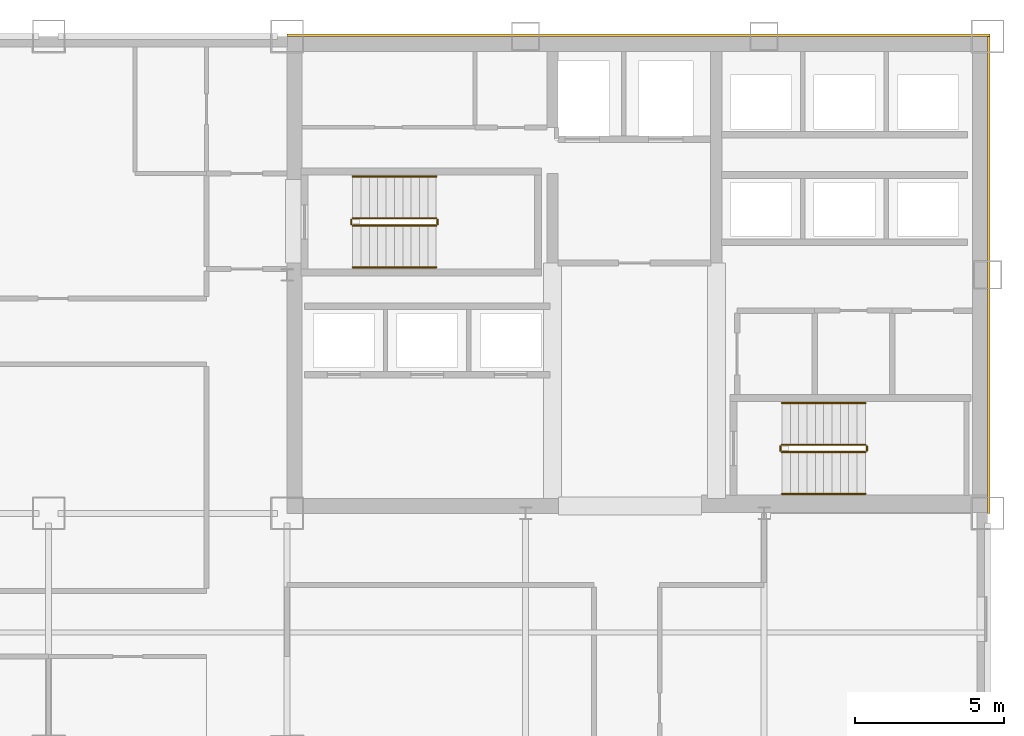
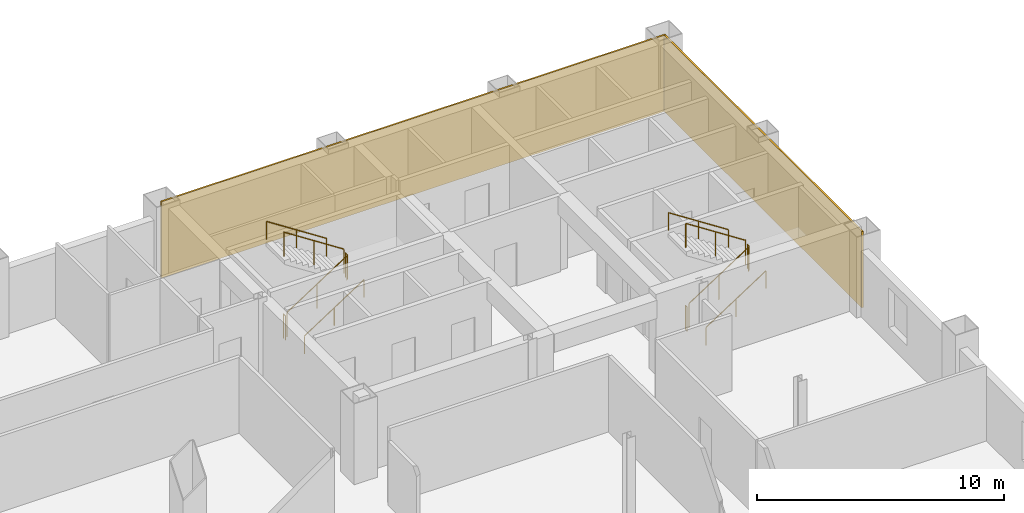
# One storey, part 10 of 10: 12 railings, 2 coverings.
"""IFC4 building model written with IfcOpenShell, lengths in metres."""

from ifc_helpers import new_model, si_unit, direction, frame, origin, origin_2d, place, context, subcontext, project, spatial, rectangle, circle, extrude, material, layer, layer_set, type_object, element, save


model = new_model("IFC4")

# Units and contexts
model_context = context("Model", 3, precision=1e-05, world=origin(), true_north=direction((0.0, 1.0)))
body_context = subcontext(model_context, "Body", "Model", "MODEL_VIEW")
ifc_project = project(units=[si_unit("LENGTHUNIT", "METRE"), si_unit("AREAUNIT", "SQUARE_METRE"), si_unit("VOLUMEUNIT", "CUBIC_METRE"), si_unit("PLANEANGLEUNIT", "RADIAN"), si_unit("MASSUNIT", "GRAM", prefix="KILO")], contexts=[model_context])

# Site, building, storey
site_placement = place(None, origin())
site = spatial("IfcSite", under=ifc_project, at=site_placement, CompositionType="ELEMENT")
building_placement = place(site_placement, origin())
building = spatial("IfcBuilding", under=site, at=building_placement, Name="Qianrong Seaharbour Tower", CompositionType="ELEMENT")
storey_placement = place(building_placement, frame((0.0, 0.0, 175.0)))
storey = spatial("IfcBuildingStorey", under=building, at=storey_placement, Name="L42", CompositionType="ELEMENT", Elevation=175.0)

# Coverings
ifc_material_1 = material(Name="Unitised red brick cladding on Precast concrete C45/55", Category="masonry")
ifc_layer = layer(ifc_material_1, 0.080078125)
ifc_layer_set = layer_set([ifc_layer], Name="Unitised red brick cladding on Precast concrete C45/55")
covering_type = type_object("IfcCoveringType", Name="COV-CLAD-RED-BRICK-80", PredefinedType="CLADDING", material=ifc_layer_set)
covering_1_placement = place(storey_placement, frame((52.2900390625, 52.0400390625, 0.0), z_axis=(0.0, 0.0, 1.0), x_axis=(1.0, 0.0, 0.0)))
element("IfcCovering", 1, at=covering_1_placement, inside=storey, type_object=covering_type, Name="L42 North Core Brick Veneer Cladding", PredefinedType="CLADDING", context=body_context, shape_type="SweptSolid", body=[
    extrude(rectangle(XDim=23.580078125, YDim=0.080078125, at=origin_2d()), origin(), (0.0, 0.0, 1.0), 3.764892578125),
])
covering_2_placement = place(storey_placement, frame((64.0400390625, 44.0, 0.0), z_axis=(0.0, 0.0, 1.0), x_axis=(1.0, 0.0, 0.0)))
element("IfcCovering", 2, at=covering_2_placement, inside=storey, type_object=covering_type, Name="L42 East Core Brick Veneer Cladding", PredefinedType="CLADDING", context=body_context, shape_type="SweptSolid", body=[
    extrude(rectangle(XDim=0.080078125, YDim=16.0, at=origin_2d()), origin(), (0.0, 0.0, 1.0), 3.764892578125),
])

# Railings
ifc_material_2 = material(Name="Galvanized painted steel SN400B stair guard", Category="steel")
railing_type_1 = type_object("IfcRailingType", Name="RAIL-STAIR-GUARD-1220", PredefinedType="GUARDRAIL", material=ifc_material_2)
railing_1_placement = place(storey_placement, frame((42.699951171875, 45.64990234375, 0.181884765625)))
element("IfcRailing", 3, at=railing_1_placement, inside=storey, type_object=railing_type_1, Name="L42 ST-1 stair guard 1", PredefinedType="GUARDRAIL", context=body_context, shape_type="SweptSolid", body=[
    extrude(circle(Radius=0.02392578125, at=origin_2d()), frame((0.0, 0.0, 1.19580078125), z_axis=(0.838705829183, 0.0, 0.544584733623), x_axis=(0.0, 1.0, 0.0)), (0.0, 0.0, 1.0), 3.338623046875),
    extrude(circle(Radius=0.02099609375, at=origin_2d()), origin(), (0.0, 0.0, 1.0), 1.171875),
    extrude(circle(Radius=0.02099609375, at=origin_2d()), frame((1.39990234375, 0.0, 0.9091796875)), (0.0, 0.0, 1.0), 1.171875),
    extrude(circle(Radius=0.02099609375, at=origin_2d()), frame((2.800048828125, 0.0, 1.818115234375)), (0.0, 0.0, 1.0), 1.171875),
])
railing_2_placement = place(storey_placement, frame((45.550048828125, 45.699951171875, 2.0)))
element("IfcRailing", 4, at=railing_2_placement, inside=storey, type_object=railing_type_1, Name="L42 ST-1 stair guard 2", PredefinedType="GUARDRAIL", context=body_context, shape_type="SweptSolid", body=[
    extrude(circle(Radius=0.02392578125, at=origin_2d()), frame((0.0, 0.0, 1.19580078125), z_axis=(0.0, 1.0, 0.0), x_axis=(-1.0, 0.0, 0.0)), (0.0, 0.0, 1.0), 0.150146484375),
    extrude(circle(Radius=0.02099609375, at=origin_2d()), origin(), (0.0, 0.0, 1.0), 1.171875),
    extrude(circle(Radius=0.02099609375, at=origin_2d()), frame((0.0, 0.150146484375, 0.0)), (0.0, 0.0, 1.0), 1.171875),
])
railing_3_placement = place(storey_placement, frame((45.5, 45.89990234375, 2.181884765625)))
element("IfcRailing", 5, at=railing_3_placement, inside=storey, type_object=railing_type_1, Name="L42 ST-1 stair guard 3", PredefinedType="GUARDRAIL", context=body_context, shape_type="SweptSolid", body=[
    extrude(circle(Radius=0.02392578125, at=origin_2d()), frame((0.0, 0.0, 1.19580078125), z_axis=(-0.838705829183, 0.0, 0.544584733623), x_axis=(0.0, -1.0, 0.0)), (0.0, 0.0, 1.0), 3.338623046875),
    extrude(circle(Radius=0.02099609375, at=origin_2d()), origin(), (0.0, 0.0, 1.0), 1.171875),
    extrude(circle(Radius=0.02099609375, at=origin_2d()), frame((-1.39990234375, 0.0, 0.9091796875)), (0.0, 0.0, 1.0), 1.171875),
    extrude(circle(Radius=0.02099609375, at=origin_2d()), frame((-2.800048828125, 0.0, 1.818115234375)), (0.0, 0.0, 1.0), 1.171875),
])
railing_4_placement = place(storey_placement, frame((42.64990234375, 45.699951171875, 0.0)))
element("IfcRailing", 6, at=railing_4_placement, inside=storey, type_object=railing_type_1, Name="L42 ST-1 stair guard 4", PredefinedType="GUARDRAIL", context=body_context, shape_type="SweptSolid", body=[
    extrude(circle(Radius=0.02392578125, at=origin_2d()), frame((0.0, 0.0, 1.19580078125), z_axis=(0.0, 1.0, 0.0), x_axis=(-1.0, 0.0, 0.0)), (0.0, 0.0, 1.0), 0.150146484375),
    extrude(circle(Radius=0.02099609375, at=origin_2d()), origin(), (0.0, 0.0, 1.0), 1.171875),
    extrude(circle(Radius=0.02099609375, at=origin_2d()), frame((0.0, 0.150146484375, 0.0)), (0.0, 0.0, 1.0), 1.171875),
])
railing_5_placement = place(storey_placement, frame((57.10009765625, 38.050048828125, 0.181884765625)))
element("IfcRailing", 7, at=railing_5_placement, inside=storey, type_object=railing_type_1, Name="L42 ST-2 stair guard 1", PredefinedType="GUARDRAIL", context=body_context, shape_type="SweptSolid", body=[
    extrude(circle(Radius=0.02392578125, at=origin_2d()), frame((0.0, 0.0, 1.19580078125), z_axis=(0.83868413941, 0.0, 0.544618136222), x_axis=(0.0, 1.0, 0.0)), (0.0, 0.0, 1.0), 3.33837890625),
    extrude(circle(Radius=0.02099609375, at=origin_2d()), origin(), (0.0, 0.0, 1.0), 1.171875),
    extrude(circle(Radius=0.02099609375, at=origin_2d()), frame((1.39990234375, 0.0, 0.9091796875)), (0.0, 0.0, 1.0), 1.171875),
    extrude(circle(Radius=0.02099609375, at=origin_2d()), frame((2.7998046875, 0.0, 1.818115234375)), (0.0, 0.0, 1.0), 1.171875),
])
railing_6_placement = place(storey_placement, frame((59.949951171875, 38.10009765625, 2.0)))
element("IfcRailing", 8, at=railing_6_placement, inside=storey, type_object=railing_type_1, Name="L42 ST-2 stair guard 2", PredefinedType="GUARDRAIL", context=body_context, shape_type="SweptSolid", body=[
    extrude(circle(Radius=0.02392578125, at=origin_2d()), frame((0.0, 0.0, 1.19580078125), z_axis=(0.0, 1.0, 0.0), x_axis=(-1.0, 0.0, 0.0)), (0.0, 0.0, 1.0), 0.14990234375),
    extrude(circle(Radius=0.02099609375, at=origin_2d()), origin(), (0.0, 0.0, 1.0), 1.171875),
    extrude(circle(Radius=0.02099609375, at=origin_2d()), frame((0.0, 0.14990234375, 0.0)), (0.0, 0.0, 1.0), 1.171875),
])
railing_7_placement = place(storey_placement, frame((59.89990234375, 38.300048828125, 2.181884765625)))
element("IfcRailing", 9, at=railing_7_placement, inside=storey, type_object=railing_type_1, Name="L42 ST-2 stair guard 3", PredefinedType="GUARDRAIL", context=body_context, shape_type="SweptSolid", body=[
    extrude(circle(Radius=0.02392578125, at=origin_2d()), frame((0.0, 0.0, 1.19580078125), z_axis=(-0.83868413941, 0.0, 0.544618136222), x_axis=(0.0, -1.0, 0.0)), (0.0, 0.0, 1.0), 3.33837890625),
    extrude(circle(Radius=0.02099609375, at=origin_2d()), origin(), (0.0, 0.0, 1.0), 1.171875),
    extrude(circle(Radius=0.02099609375, at=origin_2d()), frame((-1.39990234375, 0.0, 0.9091796875)), (0.0, 0.0, 1.0), 1.171875),
    extrude(circle(Radius=0.02099609375, at=origin_2d()), frame((-2.7998046875, 0.0, 1.818115234375)), (0.0, 0.0, 1.0), 1.171875),
])
railing_8_placement = place(storey_placement, frame((57.050048828125, 38.10009765625, 0.0)))
element("IfcRailing", 10, at=railing_8_placement, inside=storey, type_object=railing_type_1, Name="L42 ST-2 stair guard 4", PredefinedType="GUARDRAIL", context=body_context, shape_type="SweptSolid", body=[
    extrude(circle(Radius=0.02392578125, at=origin_2d()), frame((0.0, 0.0, 1.19580078125), z_axis=(0.0, 1.0, 0.0), x_axis=(-1.0, 0.0, 0.0)), (0.0, 0.0, 1.0), 0.14990234375),
    extrude(circle(Radius=0.02099609375, at=origin_2d()), origin(), (0.0, 0.0, 1.0), 1.171875),
    extrude(circle(Radius=0.02099609375, at=origin_2d()), frame((0.0, 0.14990234375, 0.0)), (0.0, 0.0, 1.0), 1.171875),
])
ifc_material_3 = material(Name="Stainless steel SUS316L continuous handrail", Category="steel")
railing_type_2 = type_object("IfcRailingType", Name="RAIL-STAIR-HANDRAIL-900", PredefinedType="HANDRAIL", material=ifc_material_3)
railing_9_placement = place(storey_placement, frame((42.699951171875, 44.25, 0.181884765625)))
element("IfcRailing", 11, at=railing_9_placement, inside=storey, type_object=railing_type_2, Name="L42 ST-1 stair handrail 1", PredefinedType="HANDRAIL", context=body_context, shape_type="SweptSolid", body=[
    extrude(circle(Radius=0.02392578125, at=origin_2d()), frame((0.0, 0.0, 0.8759765625), z_axis=(0.838705829183, 0.0, 0.544584733623), x_axis=(0.0, 1.0, 0.0)), (0.0, 0.0, 1.0), 3.338623046875),
    extrude(circle(Radius=0.02099609375, at=origin_2d()), origin(), (0.0, 0.0, 1.0), 0.851806640625),
    extrude(circle(Radius=0.02099609375, at=origin_2d()), frame((1.39990234375, 0.0, 0.9091796875)), (0.0, 0.0, 1.0), 0.851806640625),
    extrude(circle(Radius=0.02099609375, at=origin_2d()), frame((2.800048828125, 0.0, 1.818115234375)), (0.0, 0.0, 1.0), 0.851806640625),
])
railing_10_placement = place(storey_placement, frame((45.5, 47.300048828125, 2.181884765625)))
element("IfcRailing", 12, at=railing_10_placement, inside=storey, type_object=railing_type_2, Name="L42 ST-1 stair handrail 2", PredefinedType="HANDRAIL", context=body_context, shape_type="SweptSolid", body=[
    extrude(circle(Radius=0.02392578125, at=origin_2d()), frame((0.0, 0.0, 0.8759765625), z_axis=(-0.838705829183, 0.0, 0.544584733623), x_axis=(0.0, -1.0, 0.0)), (0.0, 0.0, 1.0), 3.338623046875),
    extrude(circle(Radius=0.02099609375, at=origin_2d()), origin(), (0.0, 0.0, 1.0), 0.851806640625),
    extrude(circle(Radius=0.02099609375, at=origin_2d()), frame((-1.39990234375, 0.0, 0.9091796875)), (0.0, 0.0, 1.0), 0.851806640625),
    extrude(circle(Radius=0.02099609375, at=origin_2d()), frame((-2.800048828125, 0.0, 1.818115234375)), (0.0, 0.0, 1.0), 0.851806640625),
])
railing_11_placement = place(storey_placement, frame((57.10009765625, 36.64990234375, 0.181884765625)))
element("IfcRailing", 13, at=railing_11_placement, inside=storey, type_object=railing_type_2, Name="L42 ST-2 stair handrail 1", PredefinedType="HANDRAIL", context=body_context, shape_type="SweptSolid", body=[
    extrude(circle(Radius=0.02392578125, at=origin_2d()), frame((0.0, 0.0, 0.8759765625), z_axis=(0.83868413941, 0.0, 0.544618136222), x_axis=(0.0, 1.0, 0.0)), (0.0, 0.0, 1.0), 3.33837890625),
    extrude(circle(Radius=0.02099609375, at=origin_2d()), origin(), (0.0, 0.0, 1.0), 0.851806640625),
    extrude(circle(Radius=0.02099609375, at=origin_2d()), frame((1.39990234375, 0.0, 0.9091796875)), (0.0, 0.0, 1.0), 0.851806640625),
    extrude(circle(Radius=0.02099609375, at=origin_2d()), frame((2.7998046875, 0.0, 1.818115234375)), (0.0, 0.0, 1.0), 0.851806640625),
])
railing_12_placement = place(storey_placement, frame((59.89990234375, 39.699951171875, 2.181884765625)))
element("IfcRailing", 14, at=railing_12_placement, inside=storey, type_object=railing_type_2, Name="L42 ST-2 stair handrail 2", PredefinedType="HANDRAIL", context=body_context, shape_type="SweptSolid", body=[
    extrude(circle(Radius=0.02392578125, at=origin_2d()), frame((0.0, 0.0, 0.8759765625), z_axis=(-0.83868413941, 0.0, 0.544618136222), x_axis=(0.0, -1.0, 0.0)), (0.0, 0.0, 1.0), 3.33837890625),
    extrude(circle(Radius=0.02099609375, at=origin_2d()), origin(), (0.0, 0.0, 1.0), 0.851806640625),
    extrude(circle(Radius=0.02099609375, at=origin_2d()), frame((-1.39990234375, 0.0, 0.9091796875)), (0.0, 0.0, 1.0), 0.851806640625),
    extrude(circle(Radius=0.02099609375, at=origin_2d()), frame((-2.7998046875, 0.0, 1.818115234375)), (0.0, 0.0, 1.0), 0.851806640625),
])

save(model, "model.ifc")
